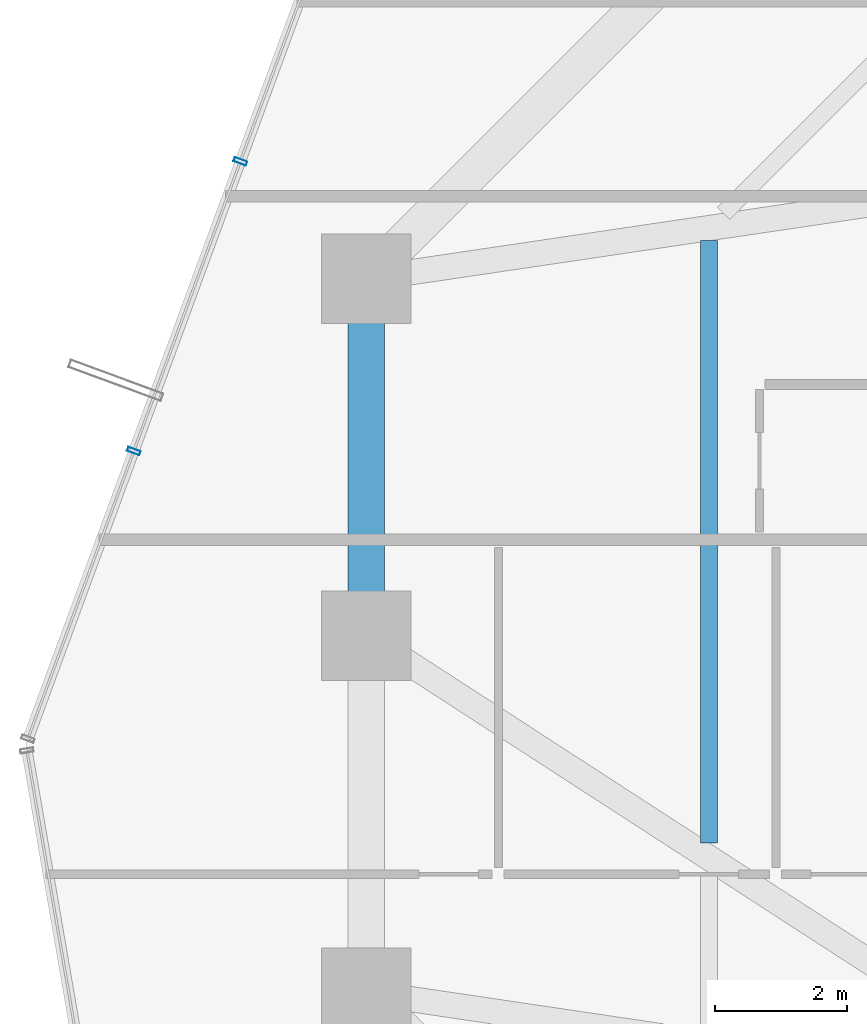
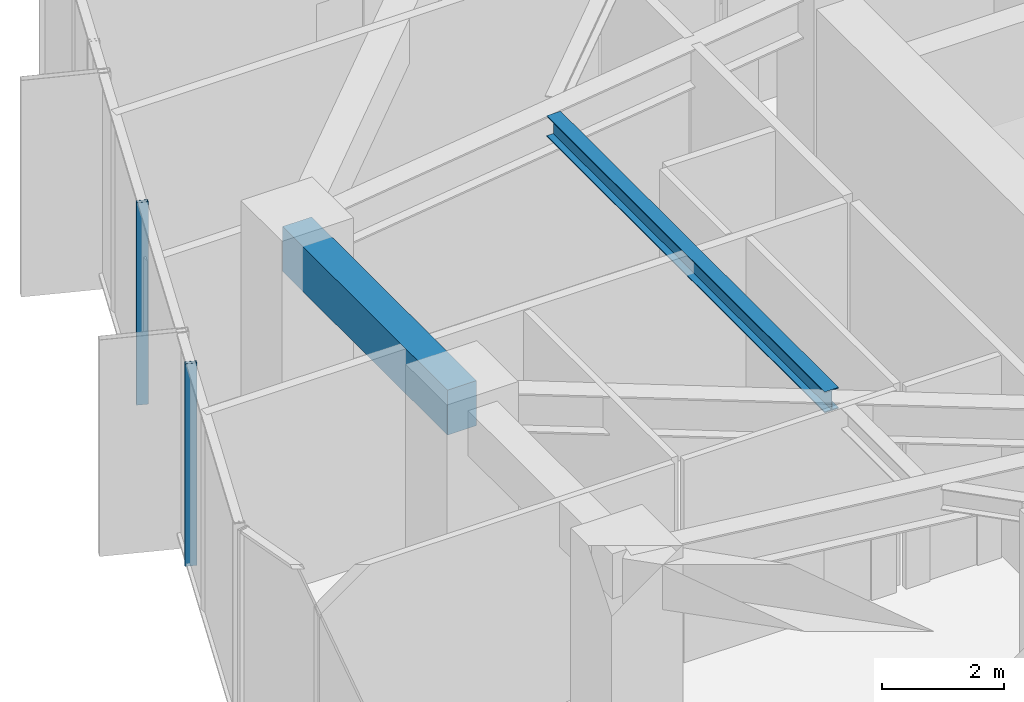
# One storey, part 11 of 35: 2 beams, 2 members, 1 element without a shape of its own.
"""IFC4 building model written with IfcOpenShell, lengths in metres."""

from ifc_helpers import new_model, si_unit, direction, frame, origin, origin_2d, place, context, subcontext, project, spatial, rectangle, hollow_rectangle, i_section, extrude, source, transform, mapped, material, layer, layer_set, material_profile, profile_set, type_object, element, aggregate, save


model = new_model("IFC4")

# Units and contexts
model_context = context("Model", 3, precision=1e-05, world=origin(), true_north=direction((0.0, 1.0)))
body_context = subcontext(model_context, "Body", "Model", "MODEL_VIEW")
ifc_project = project(units=[si_unit("LENGTHUNIT", "METRE"), si_unit("AREAUNIT", "SQUARE_METRE"), si_unit("VOLUMEUNIT", "CUBIC_METRE"), si_unit("PLANEANGLEUNIT", "RADIAN"), si_unit("MASSUNIT", "GRAM", prefix="KILO")], contexts=[model_context])

# Site, building, storey
site_placement = place(None, origin())
site = spatial("IfcSite", under=ifc_project, at=site_placement, CompositionType="ELEMENT")
building_placement = place(site_placement, origin())
building = spatial("IfcBuilding", under=site, at=building_placement, Name="Veraguas Prism Commons", CompositionType="ELEMENT")
storey_placement = place(building_placement, frame((0.0, 0.0, 56.550048828125)))
storey = spatial("IfcBuildingStorey", under=building, at=storey_placement, Name="L15", CompositionType="ELEMENT", Elevation=56.550048828125)

# Beams
ifc_material_1 = material(Name="Steel ASTM A992 Grade 50", Category="steel")
ifc_material_profile_1 = material_profile(ifc_material_1, i_section(OverallWidth=0.260986328125, OverallDepth=0.419921875, WebThickness=0.01171875, FlangeThickness=0.019287109375, at=origin_2d()), Name="W410X114")
ifc_profile_set_1 = profile_set([ifc_material_profile_1], Name="Steel ASTM A992 Grade 50")
beam_type_1 = type_object("IfcBeamType", Name="Lower Floor Joist W410x114", PredefinedType="JOIST", material=ifc_profile_set_1)
beam_1_placement = place(storey_placement, frame((11.583984375, 29.976806640625, 3.83984375), z_axis=(0.0, -1.0, 0.0), x_axis=(1.0, 0.0, 0.0)))
element("IfcBeam", 1, at=beam_1_placement, inside=storey, type_object=beam_type_1, Name="Composite Floor Joist L15-JS07", PredefinedType="JOIST", context=body_context, shape_type="SweptSolid", body=[
    extrude(i_section(OverallWidth=0.260986328125, OverallDepth=0.419921875, WebThickness=0.01171875, FlangeThickness=0.019287109375, at=origin_2d()), origin(), (0.0, 0.0, 1.0), 9.111572265625),
])
ifc_material_2 = material(Name="Concrete C50/60", Category="concrete")
ifc_material_profile_2 = material_profile(ifc_material_2, rectangle(XDim=0.550048828125, YDim=0.89990234375, at=origin_2d()), Name="RC550X900")
ifc_profile_set_2 = profile_set([ifc_material_profile_2], Name="Concrete C50/60")
beam_type_2 = type_object("IfcBeamType", Name="Perimeter Spandrel Lower RC 550x900", PredefinedType="SPANDREL", material=ifc_profile_set_2)
beam_2_placement = place(storey_placement, frame((6.39990234375, 29.39990234375, 3.599853515625), z_axis=(0.0, -1.0, 0.0), x_axis=(1.0, 0.0, 0.0)))
element("IfcBeam", 2, at=beam_2_placement, inside=storey, type_object=beam_type_2, Name="Perimeter Spandrel Beam L15-SP07", PredefinedType="SPANDREL", context=body_context, shape_type="SweptSolid", body=[
    extrude(rectangle(XDim=0.550048828125, YDim=0.89990234375, at=origin_2d()), origin(), (0.0, 0.0, 1.0), 5.39990234375),
])

# Curtain wall, members
ifc_material_3 = material(Name="Anodised aluminium EN AW-6063 T6", Category="aluminium")
ifc_layer = layer(ifc_material_3, 0.199951171875, Name="Sky Lobby and Pool Acoustic Curtain Wall", Category="aluminium")
ifc_layer_set = layer_set([ifc_layer], Name="Anodised aluminium EN AW-6063 T6")
curtain_wall_type = type_object("IfcCurtainWallType", Name="Sky Lobby and Pool Acoustic Curtain Wall", PredefinedType="NOTDEFINED", material=ifc_layer_set)
curtain_wall_placement = place(storey_placement, origin())
curtain_wall = element("IfcCurtainWall", 3, at=curtain_wall_placement, inside=storey, type_object=curtain_wall_type, Name="Tower Facade Curtain Wall L15-F3", PredefinedType="NOTDEFINED")
ifc_material_profile_3 = material_profile(ifc_material_3, hollow_rectangle(XDim=0.06494140625, YDim=0.199951171875, WallThickness=0.00390625, at=origin_2d()), Name="AL65X200X4")
ifc_profile_set_3 = profile_set([ifc_material_profile_3], Name="Anodised aluminium EN AW-6063 T6")
member_type = type_object("IfcMemberType", Name="Curtain Wall Mullion Heavy AL 65x200x4", PredefinedType="MULLION", material=ifc_profile_set_3)
shared_shape = source(origin(), body_context, "Body", "SweptSolid", [
    extrude(hollow_rectangle(XDim=0.06494140625, YDim=0.199951171875, WallThickness=0.00390625, at=origin_2d()), origin(), (0.0, 0.0, 1.0), 4.050048828125),
])
member_1_placement = place(storey_placement, frame((4.493896484375, 31.1767578125, 0.0), z_axis=(0.0, 0.0, 1.0), x_axis=(-0.345301474955, -0.938491817436, 0.0)))
member_1 = element("IfcMember", 4, at=member_1_placement, type_object=member_type, Name="CW-SKY Mullion 3", PredefinedType="MULLION", context=body_context, shape_type="MappedRepresentation", body=[
    mapped(shared_shape, transform((0.0, 0.0, 0.0), scale=1.0)),
])
member_2_placement = place(storey_placement, frame((2.880859375, 26.793212890625, 0.0), z_axis=(0.0, 0.0, 1.0), x_axis=(-0.345301474955, -0.938491817436, 0.0)))
member_2 = element("IfcMember", 5, at=member_2_placement, type_object=member_type, Name="CW-SKY Mullion 4", PredefinedType="MULLION", context=body_context, shape_type="MappedRepresentation", body=[
    mapped(shared_shape, transform((0.0, 0.0, 0.0), scale=1.0)),
])
aggregate(curtain_wall, [member_1, member_2])

save(model, "model.ifc")
